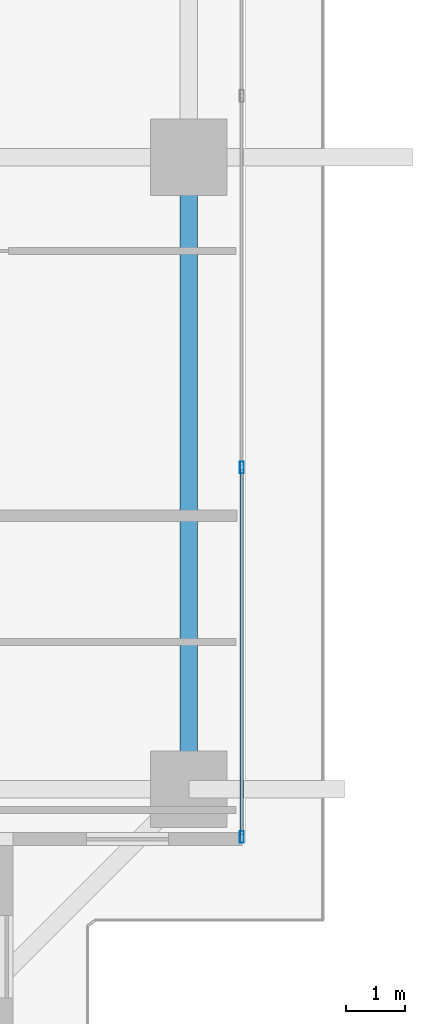
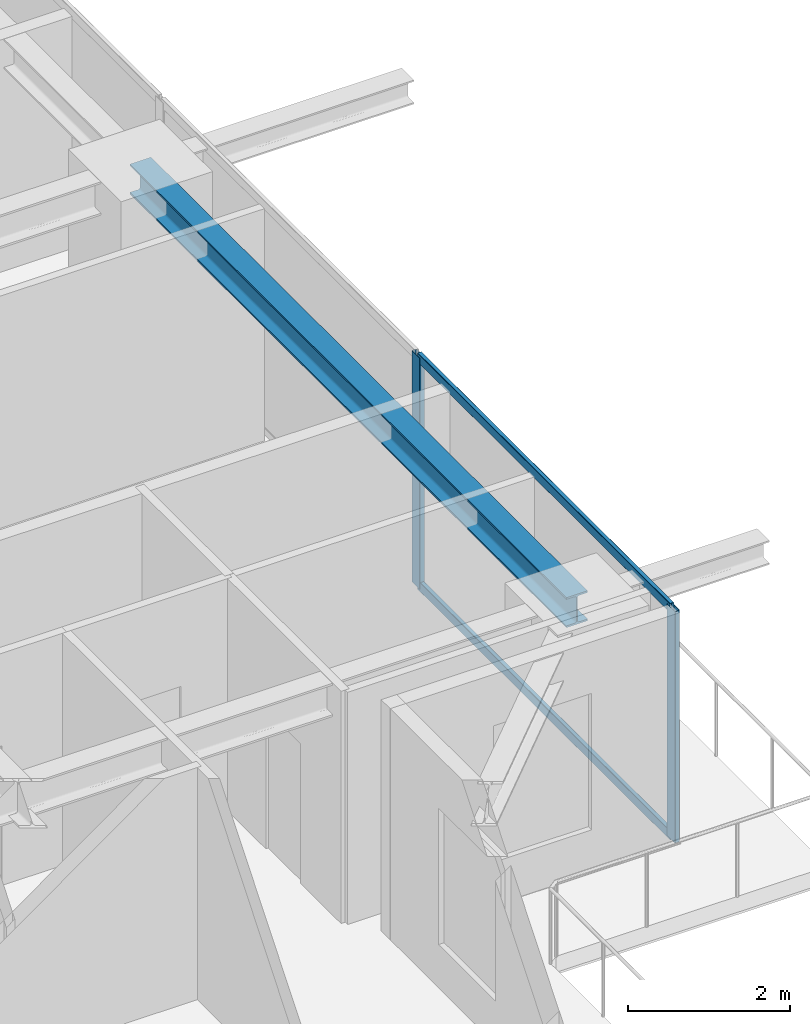
# One storey, part 14 of 37: 4 members, 1 beam, 1 element without a shape of its own.
"""IFC4 building model written with IfcOpenShell, lengths in metres."""

from ifc_helpers import new_model, si_unit, direction, frame, origin, origin_2d, place, context, subcontext, project, spatial, hollow_rectangle, i_section, extrude, source, transform, mapped, material, layer, layer_set, material_profile, profile_set, type_object, element, aggregate, save


model = new_model("IFC4")

# Units and contexts
model_context = context("Model", 3, precision=1e-05, world=origin(), true_north=direction((0.0, 1.0)))
body_context = subcontext(model_context, "Body", "Model", "MODEL_VIEW")
ifc_project = project(units=[si_unit("LENGTHUNIT", "METRE"), si_unit("AREAUNIT", "SQUARE_METRE"), si_unit("VOLUMEUNIT", "CUBIC_METRE"), si_unit("PLANEANGLEUNIT", "RADIAN"), si_unit("MASSUNIT", "GRAM", prefix="KILO")], contexts=[model_context])

# Site, building, storey
site_placement = place(None, origin())
site = spatial("IfcSite", under=ifc_project, at=site_placement, CompositionType="ELEMENT")
building_placement = place(site_placement, origin())
building = spatial("IfcBuilding", under=site, at=building_placement, Name="Serunith Strait Residences", CompositionType="ELEMENT")
storey_placement = place(building_placement, frame((0.0, 0.0, 127.64990234375)))
storey = spatial("IfcBuildingStorey", under=building, at=storey_placement, Name="L31", CompositionType="ELEMENT", Elevation=127.64990234375)

# Beam
ifc_material_1 = material(Name="Steel S355J2", Category="steel")
ifc_material_profile_1 = material_profile(ifc_material_1, i_section(OverallWidth=0.300048828125, OverallDepth=0.449951171875, WebThickness=0.013916015625, FlangeThickness=0.02587890625, FilletRadius=0.027099609375, at=origin_2d()), Name="HEB 450")
ifc_profile_set_1 = profile_set([ifc_material_profile_1], Name="Steel S355J2")
beam_type = type_object("IfcBeamType", Name="BM-HEB450", PredefinedType="BEAM", material=ifc_profile_set_1)
shared_shape_1 = source(origin(), body_context, "Body", "SweptSolid", [
    extrude(i_section(OverallWidth=0.300048828125, OverallDepth=0.449951171875, WebThickness=0.013916015625, FlangeThickness=0.02587890625, FilletRadius=0.027099609375, at=origin_2d()), origin(), (0.0, 0.0, 1.0), 10.75),
])
beam_placement = place(storey_placement, frame((56.10009765625, 10.25, 3.26220703125), z_axis=(0.0, 1.0, 0.0), x_axis=(-1.0, 0.0, 0.0)))
element("IfcBeam", 1, at=beam_placement, inside=storey, type_object=beam_type, Name="L31 Perimeter Ring Beam 05", PredefinedType="BEAM", context=body_context, shape_type="MappedRepresentation", body=[
    mapped(shared_shape_1, transform((0.0, 0.0, 0.0), scale=1.0)),
])

# Curtain wall, members
ifc_material_2 = material(Name="Pale-Champagne Anodised Aluminium", Category="aluminium")
ifc_layer = layer(ifc_material_2, 0.199951171875, Name="Pale-Champagne Anodised Aluminium")
ifc_layer_set = layer_set([ifc_layer], Name="Pale-Champagne Anodised Aluminium")
curtain_wall_type = type_object("IfcCurtainWallType", Name="CW-SYS2", PredefinedType="NOTDEFINED", material=ifc_layer_set)
curtain_wall_placement = place(storey_placement, origin())
curtain_wall = element("IfcCurtainWall", 2, at=curtain_wall_placement, inside=storey, type_object=curtain_wall_type, Name="L31 E Unitised Fritted Curtain Wall", PredefinedType="NOTDEFINED")
ifc_material_profile_2 = material_profile(ifc_material_2, hollow_rectangle(XDim=0.070068359375, YDim=0.199951171875, WallThickness=0.00390625, InnerFilletRadius=0.006103515625, OuterFilletRadius=0.010009765625, at=origin_2d()), Name="ALU 200x70x4")
ifc_profile_set_2 = profile_set([ifc_material_profile_2], Name="Pale-Champagne Anodised Aluminium")
member_type_1 = type_object("IfcMemberType", Name="CW-SYS2-MULL", PredefinedType="MULLION", material=ifc_profile_set_2)
shared_shape_2 = source(origin(), body_context, "Body", "SweptSolid", [
    extrude(hollow_rectangle(XDim=0.070068359375, YDim=0.199951171875, WallThickness=0.00390625, InnerFilletRadius=0.006103515625, OuterFilletRadius=0.010009765625, at=origin_2d()), origin(), (0.0, 0.0, 1.0), 3.47509765625),
])
member_1_placement = place(storey_placement, frame((57.0, 9.43505859375, 0.0), z_axis=(0.0, 0.0, 1.0), x_axis=(-1.0, 0.0, 0.0)))
member_1 = element("IfcMember", 3, at=member_1_placement, type_object=member_type_1, Name="CW-2 mullion 1", PredefinedType="MULLION", context=body_context, shape_type="MappedRepresentation", body=[
    mapped(shared_shape_2, transform((0.0, 0.0, 0.0), scale=1.0)),
])
member_2_placement = place(storey_placement, frame((57.0, 15.719970703125, 0.0), z_axis=(0.0, 0.0, 1.0), x_axis=(-1.0, 0.0, 0.0)))
member_2 = element("IfcMember", 4, at=member_2_placement, type_object=member_type_1, Name="CW-2 mullion 2", PredefinedType="MULLION", context=body_context, shape_type="MappedRepresentation", body=[
    mapped(shared_shape_2, transform((0.0, 0.0, 0.0), scale=1.0)),
])
ifc_material_profile_3 = material_profile(ifc_material_2, hollow_rectangle(XDim=0.06005859375, YDim=0.139892578125, WallThickness=0.00341796875, InnerFilletRadius=0.00537109375, OuterFilletRadius=0.0087890625, at=origin_2d()), Name="ALU 140x60x3.5")
ifc_profile_set_3 = profile_set([ifc_material_profile_3], Name="Pale-Champagne Anodised Aluminium")
member_type_2 = type_object("IfcMemberType", Name="CW-SYS2-TRAN", PredefinedType="USERDEFINED", material=ifc_profile_set_3)
shared_shape_3 = source(origin(), body_context, "Body", "SweptSolid", [
    extrude(hollow_rectangle(XDim=0.06005859375, YDim=0.139892578125, WallThickness=0.00341796875, InnerFilletRadius=0.00537109375, OuterFilletRadius=0.0087890625, at=origin_2d()), origin(), (0.0, 0.0, 1.0), 6.215087890625),
])
member_3_placement = place(storey_placement, frame((57.0, 9.469970703125, 0.030029296875), z_axis=(0.0, 1.0, 0.0), x_axis=(-1.0, 0.0, 0.0)))
member_3 = element("IfcMember", 5, at=member_3_placement, type_object=member_type_2, Name="CW-2 transom 1.1", ObjectType="TRANSOM", PredefinedType="USERDEFINED", context=body_context, shape_type="MappedRepresentation", body=[
    mapped(shared_shape_3, transform((0.0, 0.0, 0.0), scale=1.0)),
])
member_4_placement = place(storey_placement, frame((57.0, 9.469970703125, 3.445068359375), z_axis=(0.0, 1.0, 0.0), x_axis=(-1.0, 0.0, 0.0)))
member_4 = element("IfcMember", 6, at=member_4_placement, type_object=member_type_2, Name="CW-2 transom 1.2", ObjectType="TRANSOM", PredefinedType="USERDEFINED", context=body_context, shape_type="MappedRepresentation", body=[
    mapped(shared_shape_3, transform((0.0, 0.0, 0.0), scale=1.0)),
])
aggregate(curtain_wall, [member_1, member_2, member_3, member_4])

save(model, "model.ifc")
